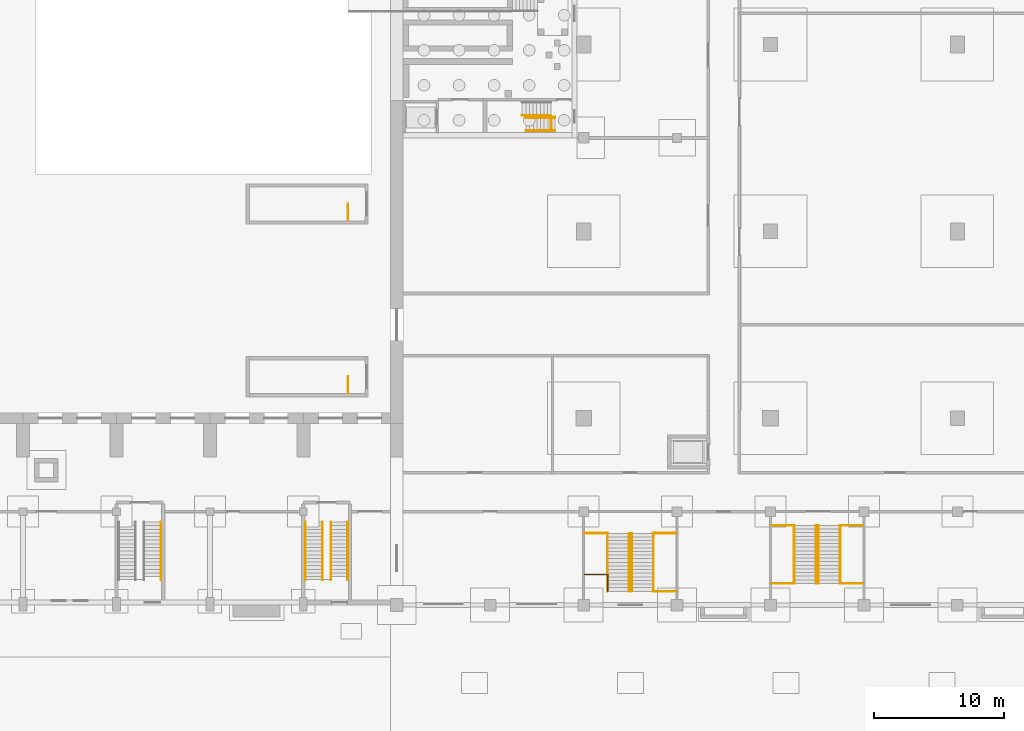
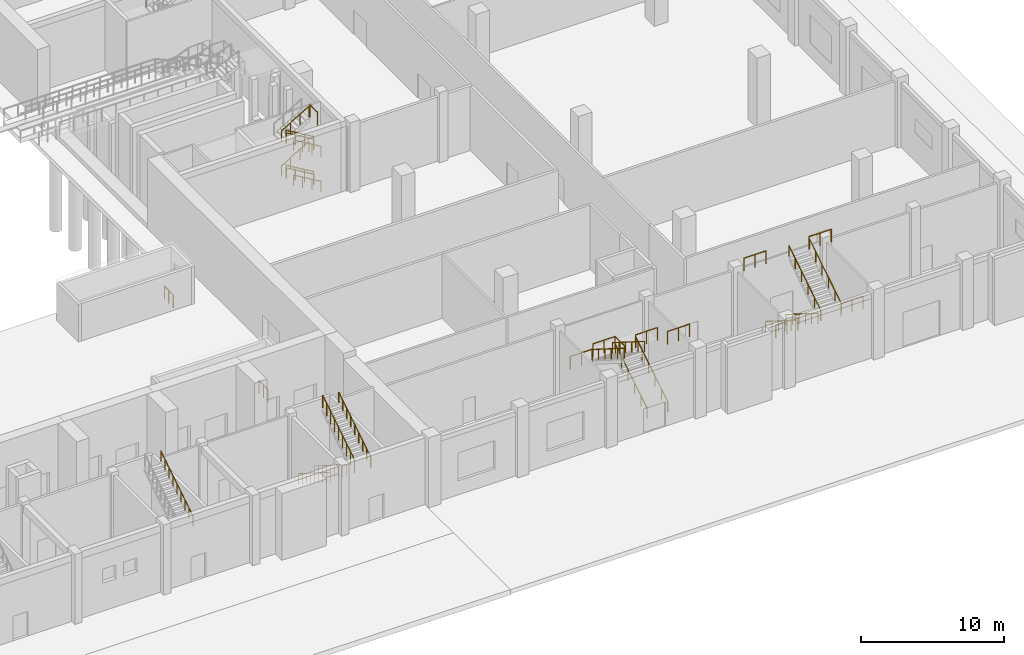
# One storey, part 66 of 70: 32 railings.
"""IFC4 building model written with IfcOpenShell, lengths in metres."""

import ifcopenshell
import ifcopenshell.guid

model = None  # the IFC model being written
_history = None  # IfcOwnerHistory: only IFC2X3 demands one
_inside = {}  # id of a spatial element -> (the spatial element, [elements in it])
_under = {}  # id of a project, library or spatial element -> (it, [spatial elements below it])
_declared = {}  # id of a project -> (the project, [libraries it declares])
_typed = {}  # id of a type object -> (the type object, [elements of that type])
_made_of = {}  # id of a material, layer set ... -> (it, [elements and type objects made of it])


def new_model(schema):
    """Start an empty IFC model of exactly this schema.

    Asked for "IFC4X3", IfcOpenShell would pick the latest addendum, in which some entities
    have other attributes; the version numbers below select the first issue.
    IFC2X3 requires an IfcOwnerHistory on every rooted entity: one is made here for all.
    """
    global model, _history
    if schema == "IFC4X3":
        model = ifcopenshell.file(schema_version=(4, 3, 0, 0))
    else:
        model = ifcopenshell.file(schema=schema)
    _inside.clear()
    _under.clear()
    _declared.clear()
    _typed.clear()
    _made_of.clear()
    _history = None
    if model.schema == "IFC2X3":
        org = make("IfcOrganization", Name="unknown")
        user = make(
            "IfcPersonAndOrganization",
            ThePerson=make("IfcPerson", FamilyName="unknown"),
            TheOrganization=org,
        )
        app = make(
            "IfcApplication",
            ApplicationDeveloper=org,
            Version="unknown",
            ApplicationFullName="unknown",
            ApplicationIdentifier="unknown",
        )
        _history = make(
            "IfcOwnerHistory",
            OwningUser=user,
            OwningApplication=app,
            ChangeAction="ADDED",
            CreationDate=0,
        )
    return model


def make(cls, **values):
    """One entity of the class cls with the attributes given. An attribute that is None is left unset."""
    return model.create_entity(
        cls, **{name: value for name, value in values.items() if value is not None}
    )


def rooted(cls, **values):
    """An entity with a GlobalId (a new one), such as an element, a storey or a relation."""
    return make(cls, GlobalId=ifcopenshell.guid.new(), OwnerHistory=_history, **values)


def si_unit(unit_type, name, prefix=None):
    """IfcSIUnit, for example si_unit("LENGTHUNIT", "METRE", prefix="MILLI")."""
    return make("IfcSIUnit", UnitType=unit_type, Prefix=prefix, Name=name)


def assignment(units):
    """IfcUnitAssignment: the units of a project."""
    return None if units is None else make("IfcUnitAssignment", Units=units)


def point(xyz):
    """IfcCartesianPoint."""
    return None if xyz is None else make("IfcCartesianPoint", Coordinates=xyz)


def direction(xyz):
    """IfcDirection."""
    return None if xyz is None else make("IfcDirection", DirectionRatios=xyz)


def frame(location, z_axis=None, x_axis=None):
    """IfcAxis2Placement3D, a coordinate frame: its origin and axes. An axis left out is left unset."""
    return make(
        "IfcAxis2Placement3D",
        Location=point(location),
        Axis=direction(z_axis),
        RefDirection=direction(x_axis),
    )


def frame_2d(location, x_axis=None):
    """IfcAxis2Placement2D, a coordinate frame in the plane: its origin and x axis."""
    return make(
        "IfcAxis2Placement2D", Location=point(location), RefDirection=direction(x_axis)
    )


def origin():
    """The frame at (0, 0, 0) with its axes left unset."""
    return frame((0.0, 0.0, 0.0))


def origin_2d():
    """The frame at (0, 0) in the plane with its x axis left unset."""
    return frame_2d((0.0, 0.0))


def place(relative_to, where):
    """IfcLocalPlacement: puts the frame where relative to a parent placement (None: the world)."""
    return make(
        "IfcLocalPlacement", PlacementRelTo=relative_to, RelativePlacement=where
    )


def context(
    kind, dimensions, precision=None, world=None, true_north=None, identifier=None
):
    """IfcGeometricRepresentationContext, for example the 3D "Model" context."""
    return make(
        "IfcGeometricRepresentationContext",
        ContextIdentifier=identifier,
        ContextType=kind,
        CoordinateSpaceDimension=dimensions,
        Precision=precision,
        WorldCoordinateSystem=world,
        TrueNorth=true_north,
    )


def subcontext(parent, identifier, kind, view, scale=None):
    """IfcGeometricRepresentationSubContext, for example "Body" below "Model"."""
    return make(
        "IfcGeometricRepresentationSubContext",
        ContextIdentifier=identifier,
        ContextType=kind,
        ParentContext=parent,
        TargetScale=scale,
        TargetView=view,
    )


def project(units=None, contexts=None):
    """IfcProject with its units and contexts."""
    return rooted(
        "IfcProject",
        Name="project",
        RepresentationContexts=contexts,
        UnitsInContext=assignment(units),
    )


def spatial(cls, under=None, at=None, **own):
    """A site, building, storey or space (cls), placed at a placement, below another one or the project."""
    s = rooted(cls, ObjectPlacement=at, **own)
    if under is not None:
        _under.setdefault(under.id(), (under, []))[1].append(s)
    return s


def profile(cls, at=None, kind="AREA", **sizes):
    """A parametric profile (cls). Its sizes go by their IFC names, for example OverallWidth=200.0."""
    return make(cls, ProfileType=kind, Position=at, **sizes)


def circle(**sizes):
    """IfcCircleProfileDef."""
    return profile("IfcCircleProfileDef", **sizes)


def extrude(swept, where, along, depth):
    """IfcExtrudedAreaSolid: the profile swept, set in the frame where, extruded along a direction by depth."""
    return make(
        "IfcExtrudedAreaSolid",
        SweptArea=swept,
        Position=where,
        ExtrudedDirection=direction(along),
        Depth=depth,
    )


def shape(context_of_items, identifier, shape_type, items):
    """IfcShapeRepresentation: the items that make up one representation, for example the "Body"."""
    return make(
        "IfcShapeRepresentation",
        ContextOfItems=context_of_items,
        RepresentationIdentifier=identifier,
        RepresentationType=shape_type,
        Items=items,
    )


def material(Name=None, Category=None):
    """IfcMaterial."""
    return make("IfcMaterial", Name=Name, Category=Category)


def made_of(thing, what):
    """Note that an element or type object is made of a material, layer set ...; save() writes the relation."""
    if what is not None:
        _made_of.setdefault(what.id(), (what, []))[1].append(thing)
    return thing


def type_object(cls, material=None, **own):
    """A type object (cls), such as IfcWallType, which elements share."""
    return made_of(rooted(cls, **own), material)


def element(
    cls,
    number,
    at=None,
    inside=None,
    cuts=None,
    type_object=None,
    material=None,
    context=None,
    identifier="Body",
    shape_type=None,
    held_by="IfcProductDefinitionShape",
    body=None,
    shapes=None,
    **own,
):
    """One element of the class cls, such as IfcWall. Its Tag is "e" and its number.

    at: its placement. inside: the storey or other place that contains it. cuts: it is an
    opening in that element (IfcRelVoidsElement). A single representation is given by context,
    identifier, shape_type and body (its items); several are given by shapes. held_by: the class
    of the entity that holds the representations. save() writes the other relations.
    """
    e = rooted(cls, Tag="e%d" % number, ObjectPlacement=at, **own)
    if body is not None:
        shapes = [shape(context, identifier, shape_type, body)]
    if shapes is not None:
        e.Representation = make(held_by, Representations=shapes)
    if inside is not None:
        _inside.setdefault(inside.id(), (inside, []))[1].append(e)
    if cuts is not None:
        rooted(
            "IfcRelVoidsElement", RelatingBuildingElement=cuts, RelatedOpeningElement=e
        )
    if type_object is not None:
        _typed.setdefault(type_object.id(), (type_object, []))[1].append(e)
    return made_of(e, material)


def aggregate(whole, parts):
    """IfcRelAggregates: a whole, such as a stair, and the parts it consists of."""
    return rooted("IfcRelAggregates", RelatingObject=whole, RelatedObjects=parts)


def save(model, path):
    """Write the relations noted so far, then the file.

    IfcRelAggregates (storeys below a building ...), IfcRelContainedInSpatialStructure (elements
    in a storey), IfcRelDefinesByType, IfcRelAssociatesMaterial and IfcRelDeclares: one each for
    every whole, place, type object, material and project.
    """
    for whole, parts in _under.values():
        aggregate(whole, parts)
    for where, things in _inside.values():
        rooted(
            "IfcRelContainedInSpatialStructure",
            RelatedElements=things,
            RelatingStructure=where,
        )
    for kind, things in _typed.values():
        rooted("IfcRelDefinesByType", RelatedObjects=things, RelatingType=kind)
    for what, things in _made_of.values():
        rooted("IfcRelAssociatesMaterial", RelatedObjects=things, RelatingMaterial=what)
    for by, libraries in _declared.values():
        rooted("IfcRelDeclares", RelatingContext=by, RelatedDefinitions=libraries)
    model.write(path)


model = new_model("IFC4")

# Units and contexts
model_context = context("Model", 3, precision=1e-05, world=origin(), true_north=direction((0.0, 1.0)))
body_context = subcontext(model_context, "Body", "Model", "MODEL_VIEW")
ifc_project = project(units=[si_unit("LENGTHUNIT", "METRE"), si_unit("AREAUNIT", "SQUARE_METRE"), si_unit("VOLUMEUNIT", "CUBIC_METRE"), si_unit("PLANEANGLEUNIT", "RADIAN"), si_unit("MASSUNIT", "GRAM", prefix="KILO")], contexts=[model_context])

# Site, building, storey
site_placement = place(None, origin())
site = spatial("IfcSite", under=ifc_project, at=site_placement, CompositionType="ELEMENT")
building_placement = place(site_placement, origin())
building = spatial("IfcBuilding", under=site, at=building_placement, Name="Vermilion Court Aquatics Centre", CompositionType="ELEMENT")
storey_placement = place(building_placement, origin())
storey = spatial("IfcBuildingStorey", under=building, at=storey_placement, Name="L00", CompositionType="ELEMENT", Elevation=0.0)

# Railings
ifc_material_1 = material(Name="Steel ASTM A992 Grade 50", Category="steel")
railing_type_1 = type_object("IfcRailingType", Name="Diving Tower stair guard 1100", PredefinedType="GUARDRAIL", material=ifc_material_1)
for number, where, name in (
    (1, (156.199951171875, 37.60498046875, 0.166748046875), "Stair 1 guard well L00"),
    (2, (156.199951171875, 37.60498046875, 3.166748046875), "Stair 1 guard well L00"),
):
    element("IfcRailing", number, at=place(storey_placement, frame(where)), inside=storey, type_object=railing_type_1, Name=name, PredefinedType="GUARDRAIL", context=body_context, shape_type="SweptSolid", body=[
        extrude(circle(Radius=0.02392578125, at=origin_2d()), frame((0.0, 0.0, 1.076171875), z_axis=(-0.859305625298, 0.0, 0.511462454469), x_axis=(0.0, -1.0, 0.0)), (0.0, 0.0, 1.0), 2.606689453125),
        extrude(circle(Radius=0.02099609375, at=origin_2d()), origin(), (0.0, 0.0, 1.0), 1.052001953125),
        extrude(circle(Radius=0.02099609375, at=origin_2d()), frame((-0.74658203125, 0.0, 0.4443359375)), (0.0, 0.0, 1.0), 1.052001953125),
        extrude(circle(Radius=0.02099609375, at=origin_2d()), frame((-1.493408203125, 0.0, 0.888916015625)), (0.0, 0.0, 1.0), 1.052001953125),
        extrude(circle(Radius=0.02099609375, at=origin_2d()), frame((-2.239990234375, 0.0, 1.333251953125)), (0.0, 0.0, 1.0), 1.052001953125),
    ])
railing_1_placement = place(storey_placement, frame((155.89990234375, 37.60009765625, 6.0)))
element("IfcRailing", 3, at=railing_1_placement, inside=storey, type_object=railing_type_1, Name="Stair 1 floor edge guard L00", PredefinedType="GUARDRAIL", context=body_context, shape_type="SweptSolid", body=[
    extrude(circle(Radius=0.02392578125, at=origin_2d()), frame((0.0, 0.0, 1.076171875), z_axis=(0.0, -1.0, 0.0), x_axis=(1.0, 0.0, 0.0)), (0.0, 0.0, 1.0), 1.070068359375),
    extrude(circle(Radius=0.02099609375, at=origin_2d()), origin(), (0.0, 0.0, 1.0), 1.052001953125),
    extrude(circle(Radius=0.02099609375, at=origin_2d()), frame((0.0, -1.070068359375, 0.0)), (0.0, 0.0, 1.0), 1.052001953125),
])
ifc_material_2 = material(Name="Steel ASTM A992 Grade 50", Category="steel")
railing_type_2 = type_object("IfcRailingType", Name="Diving Tower stair handrail 900", PredefinedType="HANDRAIL", material=ifc_material_2)
for number, where, name in (
    (4, (156.199951171875, 36.550048828125, 0.166748046875), "Stair 1 handrail wall L00"),
    (5, (156.199951171875, 37.554931640625, 0.166748046875), "Stair 1 handrail well L00"),
):
    element("IfcRailing", number, at=place(storey_placement, frame(where)), inside=storey, type_object=railing_type_2, Name=name, PredefinedType="HANDRAIL", context=body_context, shape_type="SweptSolid", body=[
        extrude(circle(Radius=0.02392578125, at=origin_2d()), frame((0.0, 0.0, 0.8759765625), z_axis=(-0.859305625298, 0.0, 0.511462454469), x_axis=(0.0, -1.0, 0.0)), (0.0, 0.0, 1.0), 2.606689453125),
        extrude(circle(Radius=0.02099609375, at=origin_2d()), origin(), (0.0, 0.0, 1.0), 0.851806640625),
        extrude(circle(Radius=0.02099609375, at=origin_2d()), frame((-0.74658203125, 0.0, 0.4443359375)), (0.0, 0.0, 1.0), 0.851806640625),
        extrude(circle(Radius=0.02099609375, at=origin_2d()), frame((-1.493408203125, 0.0, 0.888916015625)), (0.0, 0.0, 1.0), 0.851806640625),
        extrude(circle(Radius=0.02099609375, at=origin_2d()), frame((-2.239990234375, 0.0, 1.333251953125)), (0.0, 0.0, 1.0), 0.851806640625),
    ])
railing_2_placement = place(storey_placement, frame((153.659912109375, 37.719970703125, 1.666748046875)))
element("IfcRailing", 6, at=railing_2_placement, inside=storey, type_object=railing_type_2, Name="Stair 1 handrail well L00", PredefinedType="HANDRAIL", context=body_context, shape_type="SweptSolid", body=[
    extrude(circle(Radius=0.02392578125, at=origin_2d()), frame((0.0, 0.0, 0.8759765625), z_axis=(0.859305625298, 0.0, 0.511462454469), x_axis=(0.0, 1.0, 0.0)), (0.0, 0.0, 1.0), 2.606689453125),
    extrude(circle(Radius=0.02099609375, at=origin_2d()), origin(), (0.0, 0.0, 1.0), 0.851806640625),
    extrude(circle(Radius=0.02099609375, at=origin_2d()), frame((0.74658203125, 0.0, 0.4443359375)), (0.0, 0.0, 1.0), 0.851806640625),
    extrude(circle(Radius=0.02099609375, at=origin_2d()), frame((1.493408203125, 0.0, 0.888916015625)), (0.0, 0.0, 1.0), 0.851806640625),
    extrude(circle(Radius=0.02099609375, at=origin_2d()), frame((2.239990234375, 0.0, 1.333251953125)), (0.0, 0.0, 1.0), 0.851806640625),
])
for number, where, name in (
    (7, (156.199951171875, 36.550048828125, 3.166748046875), "Stair 1 handrail wall L00"),
    (8, (156.199951171875, 37.554931640625, 3.166748046875), "Stair 1 handrail well L00"),
):
    element("IfcRailing", number, at=place(storey_placement, frame(where)), inside=storey, type_object=railing_type_2, Name=name, PredefinedType="HANDRAIL", context=body_context, shape_type="SweptSolid", body=[
        extrude(circle(Radius=0.02392578125, at=origin_2d()), frame((0.0, 0.0, 0.8759765625), z_axis=(-0.859305625298, 0.0, 0.511462454469), x_axis=(0.0, -1.0, 0.0)), (0.0, 0.0, 1.0), 2.606689453125),
        extrude(circle(Radius=0.02099609375, at=origin_2d()), origin(), (0.0, 0.0, 1.0), 0.851806640625),
        extrude(circle(Radius=0.02099609375, at=origin_2d()), frame((-0.74658203125, 0.0, 0.4443359375)), (0.0, 0.0, 1.0), 0.851806640625),
        extrude(circle(Radius=0.02099609375, at=origin_2d()), frame((-1.493408203125, 0.0, 0.888916015625)), (0.0, 0.0, 1.0), 0.851806640625),
        extrude(circle(Radius=0.02099609375, at=origin_2d()), frame((-2.239990234375, 0.0, 1.333251953125)), (0.0, 0.0, 1.0), 0.851806640625),
    ])
railing_3_placement = place(storey_placement, frame((153.659912109375, 37.719970703125, 4.666748046875)))
element("IfcRailing", 9, at=railing_3_placement, inside=storey, type_object=railing_type_2, Name="Stair 1 handrail well L00", PredefinedType="HANDRAIL", context=body_context, shape_type="SweptSolid", body=[
    extrude(circle(Radius=0.02392578125, at=origin_2d()), frame((0.0, 0.0, 0.8759765625), z_axis=(0.859305625298, 0.0, 0.511462454469), x_axis=(0.0, 1.0, 0.0)), (0.0, 0.0, 1.0), 2.606689453125),
    extrude(circle(Radius=0.02099609375, at=origin_2d()), origin(), (0.0, 0.0, 1.0), 0.851806640625),
    extrude(circle(Radius=0.02099609375, at=origin_2d()), frame((0.74658203125, 0.0, 0.4443359375)), (0.0, 0.0, 1.0), 0.851806640625),
    extrude(circle(Radius=0.02099609375, at=origin_2d()), frame((1.493408203125, 0.0, 0.888916015625)), (0.0, 0.0, 1.0), 0.851806640625),
    extrude(circle(Radius=0.02099609375, at=origin_2d()), frame((2.239990234375, 0.0, 1.333251953125)), (0.0, 0.0, 1.0), 0.851806640625),
])
ifc_material_3 = material(Name="Steel ASTM A992 Grade 50", Category="steel")
railing_type_3 = type_object("IfcRailingType", Name="Hall guard 1100", PredefinedType="GUARDRAIL", material=ifc_material_3)
for number, where, name in (
    (10, (140.25, 16.35009765625, 0.0), "Stair well guard 4"),
    (11, (140.25, 29.64990234375, 0.0), "Stair well guard 5"),
):
    element("IfcRailing", number, at=place(storey_placement, frame(where)), inside=storey, type_object=railing_type_3, Name=name, PredefinedType="GUARDRAIL", context=body_context, shape_type="SweptSolid", body=[
        extrude(circle(Radius=0.02392578125, at=origin_2d()), frame((0.0, 0.0, 1.076171875), z_axis=(0.0, 1.0, 0.0), x_axis=(-1.0, 0.0, 0.0)), (0.0, 0.0, 1.0), 1.25),
        extrude(circle(Radius=0.02099609375, at=origin_2d()), origin(), (0.0, 0.0, 1.0), 1.052001953125),
        extrude(circle(Radius=0.02099609375, at=origin_2d()), frame((0.0, 0.625, 0.0)), (0.0, 0.0, 1.0), 1.052001953125),
        extrude(circle(Radius=0.02099609375, at=origin_2d()), frame((0.0, 1.25, 0.0)), (0.0, 0.0, 1.0), 1.052001953125),
    ])
ifc_material_4 = material(Name="Steel ASTM A992 Grade 50", Category="steel")
railing_type_4 = type_object("IfcRailingType", Name="Podium stair guard 1100", PredefinedType="GUARDRAIL", material=ifc_material_4)
for number, where, name in (
    (12, (165.53759765625, 5.534423828125, 3.0), "Stair guard P1"),
    (13, (165.53759765625, 1.0625, 6.0), "Stair guard P1"),
):
    element("IfcRailing", number, at=place(storey_placement, frame(where)), inside=storey, type_object=railing_type_4, Name=name, PredefinedType="GUARDRAIL", context=body_context, shape_type="SweptSolid", body=[
        extrude(circle(Radius=0.02392578125, at=origin_2d()), frame((0.0, 0.0, 1.076171875), z_axis=(-1.0, 0.0, 0.0), x_axis=(0.0, -1.0, 0.0)), (0.0, 0.0, 1.0), 1.797607421875),
        extrude(circle(Radius=0.02099609375, at=origin_2d()), origin(), (0.0, 0.0, 1.0), 1.052001953125),
        extrude(circle(Radius=0.02099609375, at=origin_2d()), frame((-0.89892578125, 0.0, 0.0)), (0.0, 0.0, 1.0), 1.052001953125),
        extrude(circle(Radius=0.02099609375, at=origin_2d()), frame((-1.797607421875, 0.0, 0.0)), (0.0, 0.0, 1.0), 1.052001953125),
    ])
railing_4_placement = place(storey_placement, frame((158.46240234375, 5.534423828125, 3.0)))
element("IfcRailing", 14, at=railing_4_placement, inside=storey, type_object=railing_type_4, Name="Stair guard P1", PredefinedType="GUARDRAIL", context=body_context, shape_type="SweptSolid", body=[
    extrude(circle(Radius=0.02392578125, at=origin_2d()), frame((0.0, 0.0, 1.076171875), z_axis=(1.0, 0.0, 0.0), x_axis=(0.0, 1.0, 0.0)), (0.0, 0.0, 1.0), 1.797607421875),
    extrude(circle(Radius=0.02099609375, at=origin_2d()), origin(), (0.0, 0.0, 1.0), 1.052001953125),
    extrude(circle(Radius=0.02099609375, at=origin_2d()), frame((0.89892578125, 0.0, 0.0)), (0.0, 0.0, 1.0), 1.052001953125),
    extrude(circle(Radius=0.02099609375, at=origin_2d()), frame((1.797607421875, 0.0, 0.0)), (0.0, 0.0, 1.0), 1.052001953125),
])
railing_5_placement = place(storey_placement, frame((158.46240234375, 2.362548828125, 6.0)))
element("IfcRailing", 15, at=railing_5_placement, inside=storey, type_object=railing_type_4, Name="Stair guard P1", PredefinedType="GUARDRAIL", context=body_context, shape_type="SweptSolid", body=[
    extrude(circle(Radius=0.02392578125, at=origin_2d()), frame((0.0, 0.0, 1.076171875), z_axis=(1.0, 0.0, 0.0), x_axis=(0.0, 1.0, 0.0)), (0.0, 0.0, 1.0), 1.797607421875),
    extrude(circle(Radius=0.02392578125, at=origin_2d()), frame((1.797607421875, 0.0, 1.076171875), z_axis=(0.0, -1.0, 0.0), x_axis=(1.0, 0.0, 0.0)), (0.0, 0.0, 1.0), 1.300048828125),
    extrude(circle(Radius=0.02099609375, at=origin_2d()), origin(), (0.0, 0.0, 1.0), 1.052001953125),
    extrude(circle(Radius=0.02099609375, at=origin_2d()), frame((0.89892578125, 0.0, 0.0)), (0.0, 0.0, 1.0), 1.052001953125),
    extrude(circle(Radius=0.02099609375, at=origin_2d()), frame((1.797607421875, 0.0, 0.0)), (0.0, 0.0, 1.0), 1.052001953125),
    extrude(circle(Radius=0.02099609375, at=origin_2d()), frame((1.797607421875, -0.64990234375, 0.0)), (0.0, 0.0, 1.0), 1.052001953125),
    extrude(circle(Radius=0.02099609375, at=origin_2d()), frame((1.797607421875, -1.300048828125, 0.0)), (0.0, 0.0, 1.0), 1.052001953125),
])
for number, where, name in (
    (16, (172.862548828125, 1.66552734375, 3.0), "Stair guard P2"),
    (17, (172.862548828125, 6.137451171875, 6.0), "Stair guard P2"),
):
    element("IfcRailing", number, at=place(storey_placement, frame(where)), inside=storey, type_object=railing_type_4, Name=name, PredefinedType="GUARDRAIL", context=body_context, shape_type="SweptSolid", body=[
        extrude(circle(Radius=0.02392578125, at=origin_2d()), frame((0.0, 0.0, 1.076171875), z_axis=(1.0, 0.0, 0.0), x_axis=(0.0, 1.0, 0.0)), (0.0, 0.0, 1.0), 1.79736328125),
        extrude(circle(Radius=0.02099609375, at=origin_2d()), origin(), (0.0, 0.0, 1.0), 1.052001953125),
        extrude(circle(Radius=0.02099609375, at=origin_2d()), frame((0.898681640625, 0.0, 0.0)), (0.0, 0.0, 1.0), 1.052001953125),
        extrude(circle(Radius=0.02099609375, at=origin_2d()), frame((1.79736328125, 0.0, 0.0)), (0.0, 0.0, 1.0), 1.052001953125),
    ])
for number, where, name in (
    (18, (179.9375, 1.66552734375, 3.0), "Stair guard P2"),
    (19, (179.9375, 6.137451171875, 6.0), "Stair guard P2"),
):
    element("IfcRailing", number, at=place(storey_placement, frame(where)), inside=storey, type_object=railing_type_4, Name=name, PredefinedType="GUARDRAIL", context=body_context, shape_type="SweptSolid", body=[
        extrude(circle(Radius=0.02392578125, at=origin_2d()), frame((0.0, 0.0, 1.076171875), z_axis=(-1.0, 0.0, 0.0), x_axis=(0.0, -1.0, 0.0)), (0.0, 0.0, 1.0), 1.797607421875),
        extrude(circle(Radius=0.02099609375, at=origin_2d()), origin(), (0.0, 0.0, 1.0), 1.052001953125),
        extrude(circle(Radius=0.02099609375, at=origin_2d()), frame((-0.89892578125, 0.0, 0.0)), (0.0, 0.0, 1.0), 1.052001953125),
        extrude(circle(Radius=0.02099609375, at=origin_2d()), frame((-1.797607421875, 0.0, 0.0)), (0.0, 0.0, 1.0), 1.052001953125),
    ])
ifc_material_5 = material(Name="Steel ASTM A992 Grade 50", Category="steel")
railing_type_5 = type_object("IfcRailingType", Name="Podium stair handrail 900", PredefinedType="HANDRAIL", material=ifc_material_5)
for number, where, name in (
    (20, (163.77001953125, 1.0625, 0.176513671875), "Stair handrail P1"),
    (21, (162.110107421875, 1.0625, 0.176513671875), "Stair handrail P1"),
):
    element("IfcRailing", number, at=place(storey_placement, frame(where)), inside=storey, type_object=railing_type_5, Name=name, PredefinedType="HANDRAIL", context=body_context, shape_type="SweptSolid", body=[
        extrude(circle(Radius=0.02392578125, at=origin_2d()), frame((0.0, 0.0, 0.8759765625), z_axis=(0.0, 0.845564583299, 0.533873145485), x_axis=(-1.0, 0.0, 0.0)), (0.0, 0.0, 1.0), 5.28857421875),
        extrude(circle(Radius=0.02099609375, at=origin_2d()), origin(), (0.0, 0.0, 1.0), 0.851806640625),
        extrude(circle(Radius=0.02099609375, at=origin_2d()), frame((0.0, 0.894287109375, 0.564697265625)), (0.0, 0.0, 1.0), 0.851806640625),
        extrude(circle(Radius=0.02099609375, at=origin_2d()), frame((0.0, 1.788818359375, 1.12939453125)), (0.0, 0.0, 1.0), 0.851806640625),
        extrude(circle(Radius=0.02099609375, at=origin_2d()), frame((0.0, 2.68310546875, 1.694091796875)), (0.0, 0.0, 1.0), 0.851806640625),
        extrude(circle(Radius=0.02099609375, at=origin_2d()), frame((0.0, 3.57763671875, 2.2587890625)), (0.0, 0.0, 1.0), 0.851806640625),
        extrude(circle(Radius=0.02099609375, at=origin_2d()), frame((0.0, 4.471923828125, 2.823486328125)), (0.0, 0.0, 1.0), 0.851806640625),
    ])
for number, where, name in (
    (22, (161.889892578125, 5.534423828125, 3.176513671875), "Stair handrail P1"),
    (23, (160.22998046875, 5.534423828125, 3.176513671875), "Stair handrail P1"),
    (24, (174.6298828125, 6.137451171875, 0.176513671875), "Stair handrail P2"),
    (25, (176.2900390625, 6.137451171875, 0.176513671875), "Stair handrail P2"),
):
    element("IfcRailing", number, at=place(storey_placement, frame(where)), inside=storey, type_object=railing_type_5, Name=name, PredefinedType="HANDRAIL", context=body_context, shape_type="SweptSolid", body=[
        extrude(circle(Radius=0.02392578125, at=origin_2d()), frame((0.0, 0.0, 0.8759765625), z_axis=(0.0, -0.845564583299, 0.533873145485), x_axis=(1.0, 0.0, 0.0)), (0.0, 0.0, 1.0), 5.28857421875),
        extrude(circle(Radius=0.02099609375, at=origin_2d()), origin(), (0.0, 0.0, 1.0), 0.851806640625),
        extrude(circle(Radius=0.02099609375, at=origin_2d()), frame((0.0, -0.894287109375, 0.564697265625)), (0.0, 0.0, 1.0), 0.851806640625),
        extrude(circle(Radius=0.02099609375, at=origin_2d()), frame((0.0, -1.788818359375, 1.12939453125)), (0.0, 0.0, 1.0), 0.851806640625),
        extrude(circle(Radius=0.02099609375, at=origin_2d()), frame((0.0, -2.68310546875, 1.694091796875)), (0.0, 0.0, 1.0), 0.851806640625),
        extrude(circle(Radius=0.02099609375, at=origin_2d()), frame((0.0, -3.57763671875, 2.2587890625)), (0.0, 0.0, 1.0), 0.851806640625),
        extrude(circle(Radius=0.02099609375, at=origin_2d()), frame((0.0, -4.471923828125, 2.823486328125)), (0.0, 0.0, 1.0), 0.851806640625),
    ])
for number, where, name in (
    (26, (176.510009765625, 1.66552734375, 3.176513671875), "Stair handrail P2"),
    (27, (178.169921875, 1.66552734375, 3.176513671875), "Stair handrail P2"),
):
    element("IfcRailing", number, at=place(storey_placement, frame(where)), inside=storey, type_object=railing_type_5, Name=name, PredefinedType="HANDRAIL", context=body_context, shape_type="SweptSolid", body=[
        extrude(circle(Radius=0.02392578125, at=origin_2d()), frame((0.0, 0.0, 0.8759765625), z_axis=(0.0, 0.845564583299, 0.533873145485), x_axis=(-1.0, 0.0, 0.0)), (0.0, 0.0, 1.0), 5.28857421875),
        extrude(circle(Radius=0.02099609375, at=origin_2d()), origin(), (0.0, 0.0, 1.0), 0.851806640625),
        extrude(circle(Radius=0.02099609375, at=origin_2d()), frame((0.0, 0.894287109375, 0.564697265625)), (0.0, 0.0, 1.0), 0.851806640625),
        extrude(circle(Radius=0.02099609375, at=origin_2d()), frame((0.0, 1.788818359375, 1.12939453125)), (0.0, 0.0, 1.0), 0.851806640625),
        extrude(circle(Radius=0.02099609375, at=origin_2d()), frame((0.0, 2.68310546875, 1.694091796875)), (0.0, 0.0, 1.0), 0.851806640625),
        extrude(circle(Radius=0.02099609375, at=origin_2d()), frame((0.0, 3.57763671875, 2.2587890625)), (0.0, 0.0, 1.0), 0.851806640625),
        extrude(circle(Radius=0.02099609375, at=origin_2d()), frame((0.0, 4.471923828125, 2.823486328125)), (0.0, 0.0, 1.0), 0.851806640625),
    ])
ifc_material_6 = material(Name="Steel ASTM A992 Grade 50", Category="steel")
railing_type_6 = type_object("IfcRailingType", Name="South stair guard 1100", PredefinedType="GUARDRAIL", material=ifc_material_6)
railing_6_placement = place(storey_placement, frame((138.27490234375, 6.39990234375, 0.176513671875)))
element("IfcRailing", 28, at=railing_6_placement, inside=storey, type_object=railing_type_6, Name="Stair guard S8.1E", PredefinedType="GUARDRAIL", context=body_context, shape_type="SweptSolid", body=[
    extrude(circle(Radius=0.02392578125, at=origin_2d()), frame((0.0, 0.0, 1.076171875), z_axis=(0.0, -0.846023287082, 0.533145944105), x_axis=(1.0, 0.0, 0.0)), (0.0, 0.0, 1.0), 0.66162109375),
    extrude(circle(Radius=0.02392578125, at=origin_2d()), frame((0.0, -0.559814453125, 1.4287109375), z_axis=(0.0, -0.845961766943, 0.533243554926), x_axis=(1.0, 0.0, 0.0)), (0.0, 0.0, 1.0), 0.662109375),
    extrude(circle(Radius=0.02392578125, at=origin_2d()), frame((0.0, -1.119873046875, 1.78173828125), z_axis=(0.0, -0.845961766943, 0.533243554926), x_axis=(1.0, 0.0, 0.0)), (0.0, 0.0, 1.0), 0.662109375),
    extrude(circle(Radius=0.02392578125, at=origin_2d()), frame((0.0, -1.679931640625, 2.134765625), z_axis=(0.0, -0.846128112635, 0.532979565282), x_axis=(1.0, 0.0, 0.0)), (0.0, 0.0, 1.0), 0.661865234375),
    extrude(circle(Radius=0.02392578125, at=origin_2d()), frame((0.0, -2.239990234375, 2.48779296875), z_axis=(0.0, -0.84585685817, 0.533409950682), x_axis=(1.0, 0.0, 0.0)), (0.0, 0.0, 1.0), 0.661865234375),
    extrude(circle(Radius=0.02392578125, at=origin_2d()), frame((0.0, -2.7998046875, 2.8408203125), z_axis=(0.0, -0.845961766943, 0.533243554926), x_axis=(1.0, 0.0, 0.0)), (0.0, 0.0, 1.0), 0.662109375),
    extrude(circle(Radius=0.02392578125, at=origin_2d()), frame((0.0, -3.35986328125, 3.19384765625), z_axis=(0.0, -0.846128112635, 0.532979565282), x_axis=(1.0, 0.0, 0.0)), (0.0, 0.0, 1.0), 0.661865234375),
    extrude(circle(Radius=0.02392578125, at=origin_2d()), frame((0.0, -3.919921875, 3.54638671875), z_axis=(0.0, -0.845961766943, 0.533243554926), x_axis=(1.0, 0.0, 0.0)), (0.0, 0.0, 1.0), 0.662109375),
    extrude(circle(Radius=0.02099609375, at=origin_2d()), origin(), (0.0, 0.0, 1.0), 1.052001953125),
    extrude(circle(Radius=0.02099609375, at=origin_2d()), frame((0.0, -0.559814453125, 0.352783203125)), (0.0, 0.0, 1.0), 1.052001953125),
    extrude(circle(Radius=0.02099609375, at=origin_2d()), frame((0.0, -1.119873046875, 0.705810546875)), (0.0, 0.0, 1.0), 1.052001953125),
    extrude(circle(Radius=0.02099609375, at=origin_2d()), frame((0.0, -1.679931640625, 1.058837890625)), (0.0, 0.0, 1.0), 1.052001953125),
    extrude(circle(Radius=0.02099609375, at=origin_2d()), frame((0.0, -2.239990234375, 1.41162109375)), (0.0, 0.0, 1.0), 1.052001953125),
    extrude(circle(Radius=0.02099609375, at=origin_2d()), frame((0.0, -2.7998046875, 1.7646484375)), (0.0, 0.0, 1.0), 1.052001953125),
    extrude(circle(Radius=0.02099609375, at=origin_2d()), frame((0.0, -3.35986328125, 2.11767578125)), (0.0, 0.0, 1.0), 1.052001953125),
    extrude(circle(Radius=0.02099609375, at=origin_2d()), frame((0.0, -3.919921875, 2.470458984375)), (0.0, 0.0, 1.0), 1.052001953125),
    extrude(circle(Radius=0.02099609375, at=origin_2d()), frame((0.0, -4.47998046875, 2.823486328125)), (0.0, 0.0, 1.0), 1.052001953125),
])
railing_7_placement = place(storey_placement, frame((138.925048828125, 1.919921875, 3.176513671875)))
element("IfcRailing", 29, at=railing_7_placement, inside=storey, type_object=railing_type_6, Name="Stair guard S8.2W", PredefinedType="GUARDRAIL", context=body_context, shape_type="SweptSolid", body=[
    extrude(circle(Radius=0.02392578125, at=origin_2d()), frame((0.0, 0.0, 1.076171875), z_axis=(0.0, 0.846128112635, 0.532979565282), x_axis=(-1.0, 0.0, 0.0)), (0.0, 0.0, 1.0), 0.661865234375),
    extrude(circle(Radius=0.02392578125, at=origin_2d()), frame((0.0, 0.56005859375, 1.4287109375), z_axis=(0.0, 0.845961766943, 0.533243554926), x_axis=(-1.0, 0.0, 0.0)), (0.0, 0.0, 1.0), 0.662109375),
    extrude(circle(Radius=0.02392578125, at=origin_2d()), frame((0.0, 1.1201171875, 1.78173828125), z_axis=(0.0, 0.845961766943, 0.533243554926), x_axis=(-1.0, 0.0, 0.0)), (0.0, 0.0, 1.0), 0.662109375),
    extrude(circle(Radius=0.02392578125, at=origin_2d()), frame((0.0, 1.68017578125, 2.134765625), z_axis=(0.0, 0.846023287082, 0.533145944105), x_axis=(-1.0, 0.0, 0.0)), (0.0, 0.0, 1.0), 0.66162109375),
    extrude(circle(Radius=0.02392578125, at=origin_2d()), frame((0.0, 2.239990234375, 2.48779296875), z_axis=(0.0, 0.845961766943, 0.533243554926), x_axis=(-1.0, 0.0, 0.0)), (0.0, 0.0, 1.0), 0.662109375),
    extrude(circle(Radius=0.02392578125, at=origin_2d()), frame((0.0, 2.800048828125, 2.8408203125), z_axis=(0.0, 0.845961766943, 0.533243554926), x_axis=(-1.0, 0.0, 0.0)), (0.0, 0.0, 1.0), 0.662109375),
    extrude(circle(Radius=0.02392578125, at=origin_2d()), frame((0.0, 3.360107421875, 3.19384765625), z_axis=(0.0, 0.846128112635, 0.532979565282), x_axis=(-1.0, 0.0, 0.0)), (0.0, 0.0, 1.0), 0.661865234375),
    extrude(circle(Radius=0.02392578125, at=origin_2d()), frame((0.0, 3.920166015625, 3.54638671875), z_axis=(0.0, 0.84585685817, 0.533409950682), x_axis=(-1.0, 0.0, 0.0)), (0.0, 0.0, 1.0), 0.661865234375),
    extrude(circle(Radius=0.02099609375, at=origin_2d()), origin(), (0.0, 0.0, 1.0), 1.052001953125),
    extrude(circle(Radius=0.02099609375, at=origin_2d()), frame((0.0, 0.56005859375, 0.352783203125)), (0.0, 0.0, 1.0), 1.052001953125),
    extrude(circle(Radius=0.02099609375, at=origin_2d()), frame((0.0, 1.1201171875, 0.705810546875)), (0.0, 0.0, 1.0), 1.052001953125),
    extrude(circle(Radius=0.02099609375, at=origin_2d()), frame((0.0, 1.68017578125, 1.058837890625)), (0.0, 0.0, 1.0), 1.052001953125),
    extrude(circle(Radius=0.02099609375, at=origin_2d()), frame((0.0, 2.239990234375, 1.41162109375)), (0.0, 0.0, 1.0), 1.052001953125),
    extrude(circle(Radius=0.02099609375, at=origin_2d()), frame((0.0, 2.800048828125, 1.7646484375)), (0.0, 0.0, 1.0), 1.052001953125),
    extrude(circle(Radius=0.02099609375, at=origin_2d()), frame((0.0, 3.360107421875, 2.11767578125)), (0.0, 0.0, 1.0), 1.052001953125),
    extrude(circle(Radius=0.02099609375, at=origin_2d()), frame((0.0, 3.920166015625, 2.470458984375)), (0.0, 0.0, 1.0), 1.052001953125),
    extrude(circle(Radius=0.02099609375, at=origin_2d()), frame((0.0, 4.47998046875, 2.823486328125)), (0.0, 0.0, 1.0), 1.052001953125),
])
ifc_material_7 = material(Name="Steel ASTM A992 Grade 50", Category="steel")
railing_type_7 = type_object("IfcRailingType", Name="South stair handrail 900", PredefinedType="HANDRAIL", material=ifc_material_7)
railing_8_placement = place(storey_placement, frame((125.824951171875, 1.919921875, 3.176513671875)))
element("IfcRailing", 30, at=railing_8_placement, inside=storey, type_object=railing_type_7, Name="Stair handrail S7.2E", PredefinedType="HANDRAIL", context=body_context, shape_type="SweptSolid", body=[
    extrude(circle(Radius=0.02392578125, at=origin_2d()), frame((0.0, 0.0, 0.8759765625), z_axis=(0.0, 0.846128112635, 0.532979565282), x_axis=(-1.0, 0.0, 0.0)), (0.0, 0.0, 1.0), 0.661865234375),
    extrude(circle(Radius=0.02392578125, at=origin_2d()), frame((0.0, 0.56005859375, 1.228515625), z_axis=(0.0, 0.845961766943, 0.533243554926), x_axis=(-1.0, 0.0, 0.0)), (0.0, 0.0, 1.0), 0.662109375),
    extrude(circle(Radius=0.02392578125, at=origin_2d()), frame((0.0, 1.1201171875, 1.58154296875), z_axis=(0.0, 0.845961766943, 0.533243554926), x_axis=(-1.0, 0.0, 0.0)), (0.0, 0.0, 1.0), 0.662109375),
    extrude(circle(Radius=0.02392578125, at=origin_2d()), frame((0.0, 1.68017578125, 1.9345703125), z_axis=(0.0, 0.846023287082, 0.533145944105), x_axis=(-1.0, 0.0, 0.0)), (0.0, 0.0, 1.0), 0.66162109375),
    extrude(circle(Radius=0.02392578125, at=origin_2d()), frame((0.0, 2.239990234375, 2.28759765625), z_axis=(0.0, 0.845961766943, 0.533243554926), x_axis=(-1.0, 0.0, 0.0)), (0.0, 0.0, 1.0), 0.662109375),
    extrude(circle(Radius=0.02392578125, at=origin_2d()), frame((0.0, 2.800048828125, 2.640625), z_axis=(0.0, 0.845961766943, 0.533243554926), x_axis=(-1.0, 0.0, 0.0)), (0.0, 0.0, 1.0), 0.662109375),
    extrude(circle(Radius=0.02392578125, at=origin_2d()), frame((0.0, 3.360107421875, 2.99365234375), z_axis=(0.0, 0.846128112635, 0.532979565282), x_axis=(-1.0, 0.0, 0.0)), (0.0, 0.0, 1.0), 0.661865234375),
    extrude(circle(Radius=0.02392578125, at=origin_2d()), frame((0.0, 3.920166015625, 3.34619140625), z_axis=(0.0, 0.84585685817, 0.533409950682), x_axis=(-1.0, 0.0, 0.0)), (0.0, 0.0, 1.0), 0.661865234375),
    extrude(circle(Radius=0.02099609375, at=origin_2d()), origin(), (0.0, 0.0, 1.0), 0.851806640625),
    extrude(circle(Radius=0.02099609375, at=origin_2d()), frame((0.0, 0.56005859375, 0.352783203125)), (0.0, 0.0, 1.0), 0.851806640625),
    extrude(circle(Radius=0.02099609375, at=origin_2d()), frame((0.0, 1.1201171875, 0.705810546875)), (0.0, 0.0, 1.0), 0.851806640625),
    extrude(circle(Radius=0.02099609375, at=origin_2d()), frame((0.0, 1.68017578125, 1.058837890625)), (0.0, 0.0, 1.0), 0.851806640625),
    extrude(circle(Radius=0.02099609375, at=origin_2d()), frame((0.0, 2.239990234375, 1.41162109375)), (0.0, 0.0, 1.0), 0.851806640625),
    extrude(circle(Radius=0.02099609375, at=origin_2d()), frame((0.0, 2.800048828125, 1.7646484375)), (0.0, 0.0, 1.0), 0.851806640625),
    extrude(circle(Radius=0.02099609375, at=origin_2d()), frame((0.0, 3.360107421875, 2.11767578125)), (0.0, 0.0, 1.0), 0.851806640625),
    extrude(circle(Radius=0.02099609375, at=origin_2d()), frame((0.0, 3.920166015625, 2.470458984375)), (0.0, 0.0, 1.0), 0.851806640625),
    extrude(circle(Radius=0.02099609375, at=origin_2d()), frame((0.0, 4.47998046875, 2.823486328125)), (0.0, 0.0, 1.0), 0.851806640625),
])
railing_9_placement = place(storey_placement, frame((136.97509765625, 6.39990234375, 0.176513671875)))
element("IfcRailing", 31, at=railing_9_placement, inside=storey, type_object=railing_type_7, Name="Stair handrail S8.1W", PredefinedType="HANDRAIL", context=body_context, shape_type="SweptSolid", body=[
    extrude(circle(Radius=0.02392578125, at=origin_2d()), frame((0.0, 0.0, 0.8759765625), z_axis=(0.0, -0.846023287082, 0.533145944105), x_axis=(1.0, 0.0, 0.0)), (0.0, 0.0, 1.0), 0.66162109375),
    extrude(circle(Radius=0.02392578125, at=origin_2d()), frame((0.0, -0.559814453125, 1.228515625), z_axis=(0.0, -0.845961766943, 0.533243554926), x_axis=(1.0, 0.0, 0.0)), (0.0, 0.0, 1.0), 0.662109375),
    extrude(circle(Radius=0.02392578125, at=origin_2d()), frame((0.0, -1.119873046875, 1.58154296875), z_axis=(0.0, -0.845961766943, 0.533243554926), x_axis=(1.0, 0.0, 0.0)), (0.0, 0.0, 1.0), 0.662109375),
    extrude(circle(Radius=0.02392578125, at=origin_2d()), frame((0.0, -1.679931640625, 1.9345703125), z_axis=(0.0, -0.846128112635, 0.532979565282), x_axis=(1.0, 0.0, 0.0)), (0.0, 0.0, 1.0), 0.661865234375),
    extrude(circle(Radius=0.02392578125, at=origin_2d()), frame((0.0, -2.239990234375, 2.28759765625), z_axis=(0.0, -0.84585685817, 0.533409950682), x_axis=(1.0, 0.0, 0.0)), (0.0, 0.0, 1.0), 0.661865234375),
    extrude(circle(Radius=0.02392578125, at=origin_2d()), frame((0.0, -2.7998046875, 2.640625), z_axis=(0.0, -0.845961766943, 0.533243554926), x_axis=(1.0, 0.0, 0.0)), (0.0, 0.0, 1.0), 0.662109375),
    extrude(circle(Radius=0.02392578125, at=origin_2d()), frame((0.0, -3.35986328125, 2.99365234375), z_axis=(0.0, -0.846128112635, 0.532979565282), x_axis=(1.0, 0.0, 0.0)), (0.0, 0.0, 1.0), 0.661865234375),
    extrude(circle(Radius=0.02392578125, at=origin_2d()), frame((0.0, -3.919921875, 3.34619140625), z_axis=(0.0, -0.845961766943, 0.533243554926), x_axis=(1.0, 0.0, 0.0)), (0.0, 0.0, 1.0), 0.662109375),
    extrude(circle(Radius=0.02099609375, at=origin_2d()), origin(), (0.0, 0.0, 1.0), 0.851806640625),
    extrude(circle(Radius=0.02099609375, at=origin_2d()), frame((0.0, -0.559814453125, 0.352783203125)), (0.0, 0.0, 1.0), 0.851806640625),
    extrude(circle(Radius=0.02099609375, at=origin_2d()), frame((0.0, -1.119873046875, 0.705810546875)), (0.0, 0.0, 1.0), 0.851806640625),
    extrude(circle(Radius=0.02099609375, at=origin_2d()), frame((0.0, -1.679931640625, 1.058837890625)), (0.0, 0.0, 1.0), 0.851806640625),
    extrude(circle(Radius=0.02099609375, at=origin_2d()), frame((0.0, -2.239990234375, 1.41162109375)), (0.0, 0.0, 1.0), 0.851806640625),
    extrude(circle(Radius=0.02099609375, at=origin_2d()), frame((0.0, -2.7998046875, 1.7646484375)), (0.0, 0.0, 1.0), 0.851806640625),
    extrude(circle(Radius=0.02099609375, at=origin_2d()), frame((0.0, -3.35986328125, 2.11767578125)), (0.0, 0.0, 1.0), 0.851806640625),
    extrude(circle(Radius=0.02099609375, at=origin_2d()), frame((0.0, -3.919921875, 2.470458984375)), (0.0, 0.0, 1.0), 0.851806640625),
    extrude(circle(Radius=0.02099609375, at=origin_2d()), frame((0.0, -4.47998046875, 2.823486328125)), (0.0, 0.0, 1.0), 0.851806640625),
])
railing_10_placement = place(storey_placement, frame((140.22509765625, 1.919921875, 3.176513671875)))
element("IfcRailing", 32, at=railing_10_placement, inside=storey, type_object=railing_type_7, Name="Stair handrail S8.2E", PredefinedType="HANDRAIL", context=body_context, shape_type="SweptSolid", body=[
    extrude(circle(Radius=0.02392578125, at=origin_2d()), frame((0.0, 0.0, 0.8759765625), z_axis=(0.0, 0.846128112635, 0.532979565282), x_axis=(-1.0, 0.0, 0.0)), (0.0, 0.0, 1.0), 0.661865234375),
    extrude(circle(Radius=0.02392578125, at=origin_2d()), frame((0.0, 0.56005859375, 1.228515625), z_axis=(0.0, 0.845961766943, 0.533243554926), x_axis=(-1.0, 0.0, 0.0)), (0.0, 0.0, 1.0), 0.662109375),
    extrude(circle(Radius=0.02392578125, at=origin_2d()), frame((0.0, 1.1201171875, 1.58154296875), z_axis=(0.0, 0.845961766943, 0.533243554926), x_axis=(-1.0, 0.0, 0.0)), (0.0, 0.0, 1.0), 0.662109375),
    extrude(circle(Radius=0.02392578125, at=origin_2d()), frame((0.0, 1.68017578125, 1.9345703125), z_axis=(0.0, 0.846023287082, 0.533145944105), x_axis=(-1.0, 0.0, 0.0)), (0.0, 0.0, 1.0), 0.66162109375),
    extrude(circle(Radius=0.02392578125, at=origin_2d()), frame((0.0, 2.239990234375, 2.28759765625), z_axis=(0.0, 0.845961766943, 0.533243554926), x_axis=(-1.0, 0.0, 0.0)), (0.0, 0.0, 1.0), 0.662109375),
    extrude(circle(Radius=0.02392578125, at=origin_2d()), frame((0.0, 2.800048828125, 2.640625), z_axis=(0.0, 0.845961766943, 0.533243554926), x_axis=(-1.0, 0.0, 0.0)), (0.0, 0.0, 1.0), 0.662109375),
    extrude(circle(Radius=0.02392578125, at=origin_2d()), frame((0.0, 3.360107421875, 2.99365234375), z_axis=(0.0, 0.846128112635, 0.532979565282), x_axis=(-1.0, 0.0, 0.0)), (0.0, 0.0, 1.0), 0.661865234375),
    extrude(circle(Radius=0.02392578125, at=origin_2d()), frame((0.0, 3.920166015625, 3.34619140625), z_axis=(0.0, 0.84585685817, 0.533409950682), x_axis=(-1.0, 0.0, 0.0)), (0.0, 0.0, 1.0), 0.661865234375),
    extrude(circle(Radius=0.02099609375, at=origin_2d()), origin(), (0.0, 0.0, 1.0), 0.851806640625),
    extrude(circle(Radius=0.02099609375, at=origin_2d()), frame((0.0, 0.56005859375, 0.352783203125)), (0.0, 0.0, 1.0), 0.851806640625),
    extrude(circle(Radius=0.02099609375, at=origin_2d()), frame((0.0, 1.1201171875, 0.705810546875)), (0.0, 0.0, 1.0), 0.851806640625),
    extrude(circle(Radius=0.02099609375, at=origin_2d()), frame((0.0, 1.68017578125, 1.058837890625)), (0.0, 0.0, 1.0), 0.851806640625),
    extrude(circle(Radius=0.02099609375, at=origin_2d()), frame((0.0, 2.239990234375, 1.41162109375)), (0.0, 0.0, 1.0), 0.851806640625),
    extrude(circle(Radius=0.02099609375, at=origin_2d()), frame((0.0, 2.800048828125, 1.7646484375)), (0.0, 0.0, 1.0), 0.851806640625),
    extrude(circle(Radius=0.02099609375, at=origin_2d()), frame((0.0, 3.360107421875, 2.11767578125)), (0.0, 0.0, 1.0), 0.851806640625),
    extrude(circle(Radius=0.02099609375, at=origin_2d()), frame((0.0, 3.920166015625, 2.470458984375)), (0.0, 0.0, 1.0), 0.851806640625),
    extrude(circle(Radius=0.02099609375, at=origin_2d()), frame((0.0, 4.47998046875, 2.823486328125)), (0.0, 0.0, 1.0), 0.851806640625),
])

save(model, "model.ifc")
